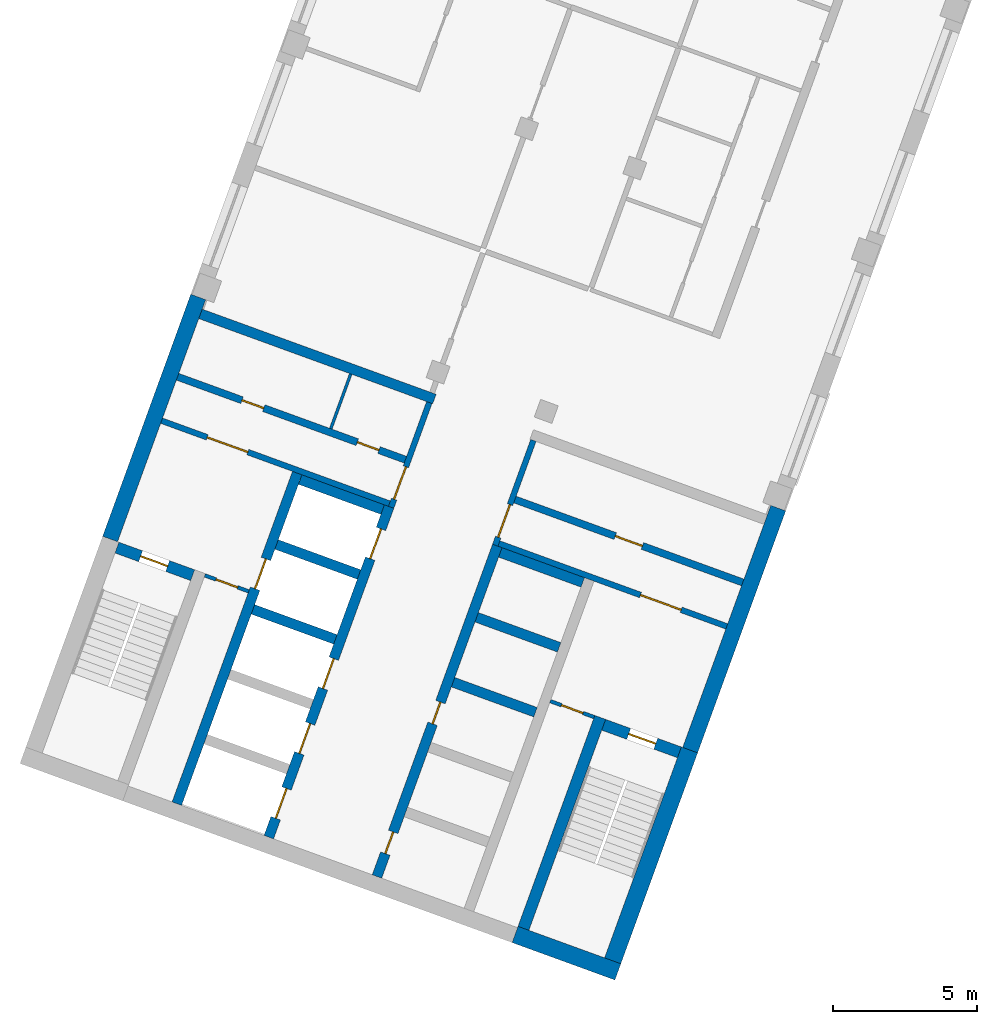
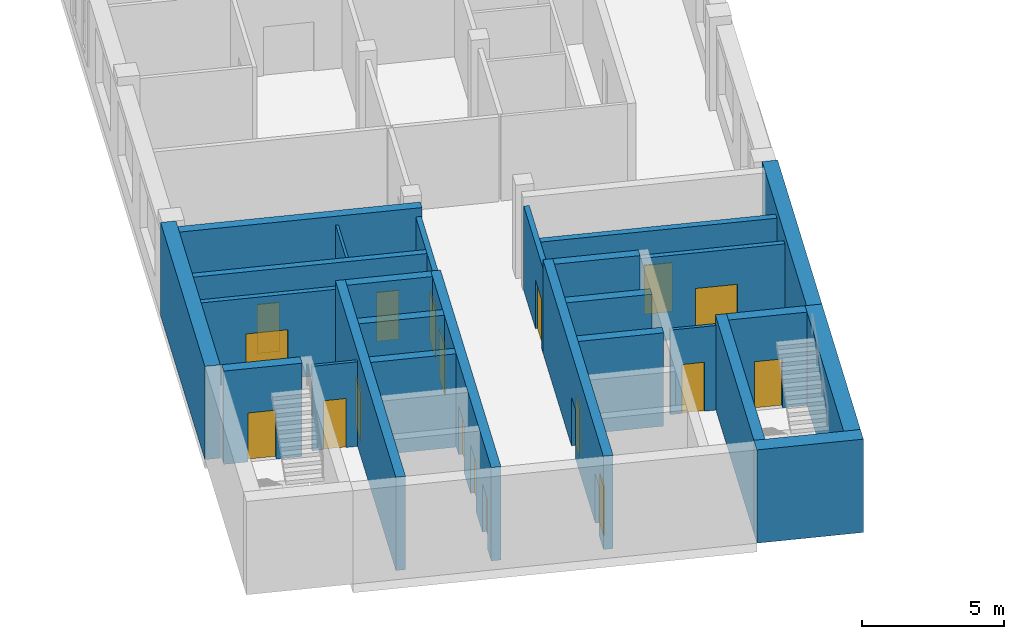
# One storey, part 2 of 8: 26 walls, 18 doors, 18 openings.
"""IFC4 building model written with IfcOpenShell, lengths in metres."""

from ifc_helpers import new_model, si_unit, direction, frame, frame_2d, origin, place, context, subcontext, project, spatial, rectangle, extrude, material, layer, layer_set, type_object, element, fill, save


model = new_model("IFC4")

# Units and contexts
model_context = context("Model", 3, precision=1e-05, world=origin(), true_north=direction((0.0, 1.0)))
body_context = subcontext(model_context, "Body", "Model", "MODEL_VIEW")
ifc_project = project(units=[si_unit("LENGTHUNIT", "METRE"), si_unit("AREAUNIT", "SQUARE_METRE"), si_unit("VOLUMEUNIT", "CUBIC_METRE"), si_unit("PLANEANGLEUNIT", "RADIAN"), si_unit("MASSUNIT", "GRAM", prefix="KILO")], contexts=[model_context])

# Site, building, storey
site_placement = place(None, origin())
site = spatial("IfcSite", under=ifc_project, at=site_placement, CompositionType="ELEMENT")
building_placement = place(site_placement, origin())
building = spatial("IfcBuilding", under=site, at=building_placement, Name="Skarvind Civic Tower", CompositionType="ELEMENT")
storey_placement = place(building_placement, frame((0.0, 0.0, 150.5)))
storey = spatial("IfcBuildingStorey", under=building, at=storey_placement, Name="L35", CompositionType="ELEMENT", Elevation=150.5)

# Wall, opening, door
ifc_material_1 = material(Name="Fire-rated masonry partition", Category="masonry")
ifc_layer_1 = layer(ifc_material_1, 0.199951171875)
ifc_layer_set_1 = layer_set([ifc_layer_1], Name="Core enclosure wall 200")
wall_type_1 = type_object("IfcWallType", Name="Core enclosure wall 200", PredefinedType="PARTITIONING", material=ifc_layer_set_1)
wall_1_placement = place(storey_placement, frame((31.45947265625, 93.67822265625, 0.0), z_axis=(0.0, 0.0, 1.0), x_axis=(0.341985870128, 0.939705094502, 0.0)))
wall_1 = element("IfcWall", 1, at=wall_1_placement, inside=storey, type_object=wall_type_1, Name="Core wall C2", PredefinedType="PARTITIONING", context=body_context, shape_type="SweptSolid", body=[
    extrude(rectangle(XDim=3.875, YDim=0.199951171875, at=frame_2d((1.9375, 0.0))), origin(), (0.0, 0.0, 1.0), 3.625),
])
opening_1_placement = place(wall_1_placement, frame((0.300048828125, 0.0, 0.0)))
opening_1 = element("IfcOpeningElement", 2, at=opening_1_placement, cuts=wall_1, Name="Opening D-L35-C2-07", PredefinedType="OPENING", context=body_context, shape_type="SweptSolid", body=[
    extrude(rectangle(XDim=1.199951171875, YDim=2.10009765625, at=frame_2d((0.60009765625, 1.050048828125))), frame((0.0, 0.10986328125, 0.0), z_axis=(0.0, -1.0, 0.0), x_axis=(1.0, 0.0, 0.0)), (0.0, 0.0, 1.0), 0.219970703125),
])
ifc_material_2 = material(Name="Fire-rated steel door", Category="steel")
door_type_1 = type_object("IfcDoorType", Name="Core lobby door 1200", OperationType="NOTDEFINED", PredefinedType="DOOR", material=ifc_material_2)
door_1_placement = place(opening_1_placement, origin())
door_1 = element("IfcDoor", 3, at=door_1_placement, inside=storey, type_object=door_type_1, Name="Fire door", OperationType="DOUBLE_DOOR_SINGLE_SWING", OverallHeight=2.10009765625, OverallWidth=1.199951171875, PredefinedType="DOOR", context=body_context, shape_type="SweptSolid", body=[
    extrude(rectangle(XDim=1.199951171875, YDim=2.10009765625, at=frame_2d((0.60009765625, 1.050048828125))), frame((0.0, 0.02490234375, 0.0), z_axis=(0.0, -1.0, 0.0), x_axis=(1.0, 0.0, 0.0)), (0.0, 0.0, 1.0), 0.050048828125),
])
fill(opening_1, door_1)

wall_2_placement = place(storey_placement, frame((23.482666015625, 96.68798828125, 0.0), z_axis=(0.0, 0.0, 1.0), x_axis=(0.939691007314, -0.342024576271, 0.0)))
wall_2 = element("IfcWall", 4, at=wall_2_placement, inside=storey, type_object=wall_type_1, Name="Core wall C2", PredefinedType="PARTITIONING", context=body_context, shape_type="SweptSolid", body=[
    extrude(rectangle(XDim=8.425048828125, YDim=0.199951171875, at=frame_2d((4.21240234375, 0.0))), origin(), (0.0, 0.0, 1.0), 3.625),
])
opening_2_placement = place(wall_2_placement, frame((1.6875, 0.0, 0.0)))
opening_2 = element("IfcOpeningElement", 5, at=opening_2_placement, cuts=wall_2, Name="Opening D-L35-C2-08", PredefinedType="OPENING", context=body_context, shape_type="SweptSolid", body=[
    extrude(rectangle(XDim=1.5, YDim=2.10009765625, at=frame_2d((0.75, 1.050048828125))), frame((0.0, 0.10986328125, 0.0), z_axis=(0.0, -1.0, 0.0), x_axis=(1.0, 0.0, 0.0)), (0.0, 0.0, 1.0), 0.219970703125),
])
door_type_2 = type_object("IfcDoorType", Name="Fire door 1500", OperationType="NOTDEFINED", PredefinedType="DOOR", material=ifc_material_2)
door_2_placement = place(opening_2_placement, origin())
door_2 = element("IfcDoor", 6, at=door_2_placement, inside=storey, type_object=door_type_2, Name="Fire door", OperationType="DOUBLE_DOOR_SINGLE_SWING", OverallHeight=2.10009765625, OverallWidth=1.5, PredefinedType="DOOR", context=body_context, shape_type="SweptSolid", body=[
    extrude(rectangle(XDim=1.5, YDim=2.10009765625, at=frame_2d((0.75, 1.050048828125))), frame((0.0, 0.02490234375, 0.0), z_axis=(0.0, -1.0, 0.0), x_axis=(1.0, 0.0, 0.0)), (0.0, 0.0, 1.0), 0.050048828125),
])
fill(opening_2, door_2)

wall_3_placement = place(storey_placement, frame((36.402587890625, 96.0029296875, 0.0), z_axis=(0.0, 0.0, 1.0), x_axis=(-0.342041503764, -0.939684845947, 0.0)))
wall_3 = element("IfcWall", 7, at=wall_3_placement, inside=storey, type_object=wall_type_1, Name="Core wall C2", PredefinedType="PARTITIONING", context=body_context, shape_type="SweptSolid", body=[
    extrude(rectangle(XDim=3.875, YDim=0.199951171875, at=frame_2d((1.9375, 0.0))), origin(), (0.0, 0.0, 1.0), 3.625),
])
opening_3_placement = place(wall_3_placement, frame((2.375, 0.0, 0.0)))
opening_3 = element("IfcOpeningElement", 8, at=opening_3_placement, cuts=wall_3, Name="Opening D-L35-C2-13", PredefinedType="OPENING", context=body_context, shape_type="SweptSolid", body=[
    extrude(rectangle(XDim=1.199951171875, YDim=2.10009765625, at=frame_2d((0.60009765625, 1.050048828125))), frame((0.0, 0.10986328125, 0.0), z_axis=(0.0, -1.0, 0.0), x_axis=(1.0, 0.0, 0.0)), (0.0, 0.0, 1.0), 0.219970703125),
])
door_3_placement = place(opening_3_placement, origin())
door_3 = element("IfcDoor", 9, at=door_3_placement, inside=storey, type_object=door_type_1, Name="Fire door", OperationType="DOUBLE_DOOR_SINGLE_SWING", OverallHeight=2.10009765625, OverallWidth=1.199951171875, PredefinedType="DOOR", context=body_context, shape_type="SweptSolid", body=[
    extrude(rectangle(XDim=1.199951171875, YDim=2.10009765625, at=frame_2d((0.60009765625, 1.050048828125))), frame((0.0, 0.02490234375, 0.0), z_axis=(0.0, -1.0, 0.0), x_axis=(1.0, 0.0, 0.0)), (0.0, 0.0, 1.0), 0.050048828125),
])
fill(opening_3, door_3)

wall_4_placement = place(storey_placement, frame((35.205322265625, 92.42138671875, 0.0), z_axis=(0.0, 0.0, 1.0), x_axis=(0.939691007314, -0.342024576271, 0.0)))
wall_4 = element("IfcWall", 10, at=wall_4_placement, inside=storey, type_object=wall_type_1, Name="Core wall C2", PredefinedType="PARTITIONING", context=body_context, shape_type="SweptSolid", body=[
    extrude(rectangle(XDim=8.425048828125, YDim=0.199951171875, at=frame_2d((4.21240234375, 0.0))), origin(), (0.0, 0.0, 1.0), 3.625),
])
opening_4_placement = place(wall_4_placement, frame((5.237548828125, 0.0, 0.0)))
opening_4 = element("IfcOpeningElement", 11, at=opening_4_placement, cuts=wall_4, Name="Opening D-L35-C2-14", PredefinedType="OPENING", context=body_context, shape_type="SweptSolid", body=[
    extrude(rectangle(XDim=1.5, YDim=2.10009765625, at=frame_2d((0.75, 1.050048828125))), frame((0.0, 0.10986328125, 0.0), z_axis=(0.0, -1.0, 0.0), x_axis=(1.0, 0.0, 0.0)), (0.0, 0.0, 1.0), 0.219970703125),
])
door_4_placement = place(opening_4_placement, origin())
door_4 = element("IfcDoor", 12, at=door_4_placement, inside=storey, type_object=door_type_2, Name="Fire door", OperationType="DOUBLE_DOOR_SINGLE_SWING", OverallHeight=2.10009765625, OverallWidth=1.5, PredefinedType="DOOR", context=body_context, shape_type="SweptSolid", body=[
    extrude(rectangle(XDim=1.5, YDim=2.10009765625, at=frame_2d((0.75, 1.050048828125))), frame((0.0, 0.02490234375, 0.0), z_axis=(0.0, -1.0, 0.0), x_axis=(1.0, 0.0, 0.0)), (0.0, 0.0, 1.0), 0.050048828125),
])
fill(opening_4, door_4)

# Wall
ifc_material_3 = material(Name="Fire-rated plasterboard partition")
ifc_layer_2 = layer(ifc_material_3, 0.10009765625)
ifc_layer_set_2 = layer_set([ifc_layer_2], Name="Core partition wall 100")
wall_type_2 = type_object("IfcWallType", Name="Core partition wall 100", PredefinedType="PARTITIONING", material=ifc_layer_set_2)
wall_5_placement = place(storey_placement, frame((29.3623046875, 96.410400390625, 0.0), z_axis=(0.0, 0.0, 1.0), x_axis=(0.342043138314, 0.939684250976, 0.0)))
element("IfcWall", 13, at=wall_5_placement, inside=storey, type_object=wall_type_2, Name="Core wall C2", PredefinedType="PARTITIONING", context=body_context, shape_type="SweptSolid", body=[
    extrude(rectangle(XDim=2.02490234375, YDim=0.10009765625, at=frame_2d((1.012451171875, 0.0))), origin(), (0.0, 0.0, 1.0), 3.625),
])

# Wall, openings, doors
ifc_material_4 = material(Name="Concrete C60", Category="concrete")
ifc_layer_3 = layer(ifc_material_4, 0.35009765625)
ifc_layer_set_3 = layer_set([ifc_layer_3], Name="Core wall 350 C60")
wall_type_3 = type_object("IfcWallType", Name="Core wall 350 C60", PredefinedType="SHEAR", material=ifc_layer_set_3)
wall_6_placement = place(storey_placement, frame((30.966552734375, 80.84814453125, 0.0), z_axis=(0.0, 0.0, 1.0), x_axis=(0.34201563943, 0.939694260058, 0.0)))
wall_6 = element("IfcWall", 14, at=wall_6_placement, inside=storey, type_object=wall_type_3, Name="Core wall C2 south lift row front L35", PredefinedType="SHEAR", context=body_context, shape_type="SweptSolid", body=[
    extrude(rectangle(XDim=12.22509765625, YDim=0.35009765625, at=frame_2d((6.112548828125, 0.0))), origin(), (0.0, 0.0, 1.0), 4.0),
])
opening_5_placement = place(wall_6_placement, frame((0.85009765625, 0.0, 0.0)))
opening_5 = element("IfcOpeningElement", 15, at=opening_5_placement, cuts=wall_6, Name="Opening D-L35-C2-05", PredefinedType="OPENING", context=body_context, shape_type="SweptSolid", body=[
    extrude(rectangle(XDim=0.800048828125, YDim=2.10009765625, at=frame_2d((0.39990234375, 1.050048828125))), frame((0.0, 0.18505859375, 0.0), z_axis=(0.0, -1.0, 0.0), x_axis=(1.0, 0.0, 0.0)), (0.0, 0.0, 1.0), 0.3701171875),
])
opening_6_placement = place(wall_6_placement, frame((5.64990234375, 0.0, 0.0)))
opening_6 = element("IfcOpeningElement", 16, at=opening_6_placement, cuts=wall_6, Name="Opening D-L35-C2-06", PredefinedType="OPENING", context=body_context, shape_type="SweptSolid", body=[
    extrude(rectangle(XDim=0.800048828125, YDim=2.10009765625, at=frame_2d((0.39990234375, 1.050048828125))), frame((0.0, 0.18505859375, 0.0), z_axis=(0.0, -1.0, 0.0), x_axis=(1.0, 0.0, 0.0)), (0.0, 0.0, 1.0), 0.3701171875),
])
door_type_3 = type_object("IfcDoorType", Name="Core riser door 800", OperationType="NOTDEFINED", PredefinedType="DOOR", material=ifc_material_2)
door_5_placement = place(opening_5_placement, origin())
door_5 = element("IfcDoor", 17, at=door_5_placement, inside=storey, type_object=door_type_3, Name="Riser door", OperationType="SINGLE_SWING_LEFT", OverallHeight=2.10009765625, OverallWidth=0.800048828125, PredefinedType="DOOR", context=body_context, shape_type="SweptSolid", body=[
    extrude(rectangle(XDim=0.800048828125, YDim=2.10009765625, at=frame_2d((0.39990234375, 1.050048828125))), frame((0.0, 0.02490234375, 0.0), z_axis=(0.0, -1.0, 0.0), x_axis=(1.0, 0.0, 0.0)), (0.0, 0.0, 1.0), 0.050048828125),
])
fill(opening_5, door_5)
door_6_placement = place(opening_6_placement, origin())
door_6 = element("IfcDoor", 18, at=door_6_placement, inside=storey, type_object=door_type_3, Name="Riser door", OperationType="SINGLE_SWING_RIGHT", OverallHeight=2.10009765625, OverallWidth=0.800048828125, PredefinedType="DOOR", context=body_context, shape_type="SweptSolid", body=[
    extrude(rectangle(XDim=0.800048828125, YDim=2.10009765625, at=frame_2d((0.39990234375, 1.050048828125))), frame((0.0, 0.02490234375, 0.0), z_axis=(0.0, -1.0, 0.0), x_axis=(1.0, 0.0, 0.0)), (0.0, 0.0, 1.0), 0.050048828125),
])
fill(opening_6, door_6)

# Walls
for number, where, z_axis, x_axis, name in (
    (19, (36.4765625, 86.557861328125, 0.0), (0.0, 0.0, 1.0), (-0.939683528043, 0.3420451244, 0.0), "Core wall C2 south lift row division 3 L35"),
    (20, (37.297607421875, 88.813232421875, 0.0), (0.0, 0.0, 1.0), (-0.939692892192, 0.342019397644, 0.0), "Core wall C2 south lift row division 4 L35"),
    (21, (38.118408203125, 91.068359375, 0.0), (0.0, 0.0, 1.0), (-0.939692892192, 0.342019397644, 0.0), "Core wall C2 south lift row division 5 L35"),
):
    element("IfcWall", number, at=place(storey_placement, frame(where, z_axis=z_axis, x_axis=x_axis)), inside=storey, type_object=wall_type_3, Name=name, PredefinedType="SHEAR", context=body_context, shape_type="SweptSolid", body=[
        extrude(rectangle(XDim=3.050048828125, YDim=0.35009765625, at=frame_2d((1.52490234375, 0.0))), origin(), (0.0, 0.0, 1.0), 4.0),
    ])

# Wall, openings, doors
wall_7_placement = place(storey_placement, frame((27.207763671875, 82.21630859375, 0.0), z_axis=(0.0, 0.0, 1.0), x_axis=(0.34201563943, 0.939694260058, 0.0)))
wall_7 = element("IfcWall", 22, at=wall_7_placement, inside=storey, type_object=wall_type_3, Name="Core wall C2 north lift row front L35", PredefinedType="SHEAR", context=body_context, shape_type="SweptSolid", body=[
    extrude(rectangle(XDim=12.22509765625, YDim=0.35009765625, at=frame_2d((6.112548828125, 0.0))), origin(), (0.0, 0.0, 1.0), 4.0),
])
opening_7_placement = place(wall_7_placement, frame((0.699951171875, 0.0, 0.0)))
opening_7 = element("IfcOpeningElement", 23, at=opening_7_placement, cuts=wall_7, Name="Opening LD37201", PredefinedType="OPENING", context=body_context, shape_type="SweptSolid", body=[
    extrude(rectangle(XDim=1.10009765625, YDim=2.10009765625, at=frame_2d((0.550048828125, 1.050048828125))), frame((0.0, 0.18505859375, 0.0), z_axis=(0.0, -1.0, 0.0), x_axis=(1.0, 0.0, 0.0)), (0.0, 0.0, 1.0), 0.3701171875),
])
opening_8_placement = place(wall_7_placement, frame((3.10009765625, 0.0, 0.0)))
opening_8 = element("IfcOpeningElement", 24, at=opening_8_placement, cuts=wall_7, Name="Opening LD37202", PredefinedType="OPENING", context=body_context, shape_type="SweptSolid", body=[
    extrude(rectangle(XDim=1.10009765625, YDim=2.10009765625, at=frame_2d((0.550048828125, 1.050048828125))), frame((0.0, 0.18505859375, 0.0), z_axis=(0.0, -1.0, 0.0), x_axis=(1.0, 0.0, 0.0)), (0.0, 0.0, 1.0), 0.3701171875),
])
opening_9_placement = place(wall_7_placement, frame((5.5, 0.0, 0.0)))
opening_9 = element("IfcOpeningElement", 25, at=opening_9_placement, cuts=wall_7, Name="Opening LD37203", PredefinedType="OPENING", context=body_context, shape_type="SweptSolid", body=[
    extrude(rectangle(XDim=1.10009765625, YDim=2.10009765625, at=frame_2d((0.550048828125, 1.050048828125))), frame((0.0, 0.18505859375, 0.0), z_axis=(0.0, -1.0, 0.0), x_axis=(1.0, 0.0, 0.0)), (0.0, 0.0, 1.0), 0.3701171875),
])
opening_10_placement = place(wall_7_placement, frame((10.300048828125, 0.0, 0.0)))
opening_10 = element("IfcOpeningElement", 26, at=opening_10_placement, cuts=wall_7, Name="Opening LD37205", PredefinedType="OPENING", context=body_context, shape_type="SweptSolid", body=[
    extrude(rectangle(XDim=1.10009765625, YDim=2.10009765625, at=frame_2d((0.550048828125, 1.050048828125))), frame((0.0, 0.18505859375, 0.0), z_axis=(0.0, -1.0, 0.0), x_axis=(1.0, 0.0, 0.0)), (0.0, 0.0, 1.0), 0.3701171875),
])
ifc_material_5 = material(Name="Stainless steel landing door", Category="steel")
door_type_4 = type_object("IfcDoorType", Name="Lift landing door 1100", OperationType="DOUBLE_DOOR_SLIDING", PredefinedType="DOOR", material=ifc_material_5)
door_7_placement = place(opening_7_placement, origin())
door_7 = element("IfcDoor", 27, at=door_7_placement, inside=storey, type_object=door_type_4, Name="Lift landing door", OperationType="DOUBLE_DOOR_SLIDING", OverallHeight=2.10009765625, OverallWidth=1.10009765625, PredefinedType="DOOR", context=body_context, shape_type="SweptSolid", body=[
    extrude(rectangle(XDim=1.10009765625, YDim=2.10009765625, at=frame_2d((0.550048828125, 1.050048828125))), frame((0.0, 0.02490234375, 0.0), z_axis=(0.0, -1.0, 0.0), x_axis=(1.0, 0.0, 0.0)), (0.0, 0.0, 1.0), 0.050048828125),
])
fill(opening_7, door_7)
door_8_placement = place(opening_8_placement, origin())
door_8 = element("IfcDoor", 28, at=door_8_placement, inside=storey, type_object=door_type_4, Name="Lift landing door", OperationType="DOUBLE_DOOR_SLIDING", OverallHeight=2.10009765625, OverallWidth=1.10009765625, PredefinedType="DOOR", context=body_context, shape_type="SweptSolid", body=[
    extrude(rectangle(XDim=1.10009765625, YDim=2.10009765625, at=frame_2d((0.550048828125, 1.050048828125))), frame((0.0, 0.02490234375, 0.0), z_axis=(0.0, -1.0, 0.0), x_axis=(1.0, 0.0, 0.0)), (0.0, 0.0, 1.0), 0.050048828125),
])
fill(opening_8, door_8)
door_9_placement = place(opening_9_placement, origin())
door_9 = element("IfcDoor", 29, at=door_9_placement, inside=storey, type_object=door_type_4, Name="Lift landing door", OperationType="DOUBLE_DOOR_SLIDING", OverallHeight=2.10009765625, OverallWidth=1.10009765625, PredefinedType="DOOR", context=body_context, shape_type="SweptSolid", body=[
    extrude(rectangle(XDim=1.10009765625, YDim=2.10009765625, at=frame_2d((0.550048828125, 1.050048828125))), frame((0.0, 0.02490234375, 0.0), z_axis=(0.0, -1.0, 0.0), x_axis=(1.0, 0.0, 0.0)), (0.0, 0.0, 1.0), 0.050048828125),
])
fill(opening_9, door_9)
door_10_placement = place(opening_10_placement, origin())
door_10 = element("IfcDoor", 30, at=door_10_placement, inside=storey, type_object=door_type_4, Name="Lift landing door", OperationType="DOUBLE_DOOR_SLIDING", OverallHeight=2.10009765625, OverallWidth=1.10009765625, PredefinedType="DOOR", context=body_context, shape_type="SweptSolid", body=[
    extrude(rectangle(XDim=1.10009765625, YDim=2.10009765625, at=frame_2d((0.550048828125, 1.050048828125))), frame((0.0, 0.02490234375, 0.0), z_axis=(0.0, -1.0, 0.0), x_axis=(1.0, 0.0, 0.0)), (0.0, 0.0, 1.0), 0.050048828125),
])
fill(opening_10, door_10)

# Wall, opening, door
wall_8_placement = place(storey_placement, frame((24.0126953125, 83.379150390625, 0.0), z_axis=(0.0, 0.0, 1.0), x_axis=(0.34201563943, 0.939694260058, 0.0)))
wall_8 = element("IfcWall", 31, at=wall_8_placement, inside=storey, type_object=wall_type_3, Name="Core wall C2 north lift row back L35", PredefinedType="SHEAR", context=body_context, shape_type="SweptSolid", body=[
    extrude(rectangle(XDim=12.22509765625, YDim=0.35009765625, at=frame_2d((6.112548828125, 0.0))), origin(), (0.0, 0.0, 1.0), 4.0),
])
opening_11_placement = place(wall_8_placement, frame((7.949951171875, 0.0, 0.0)))
opening_11 = element("IfcOpeningElement", 32, at=opening_11_placement, cuts=wall_8, Name="Opening LD37204", PredefinedType="OPENING", context=body_context, shape_type="SweptSolid", body=[
    extrude(rectangle(XDim=1.10009765625, YDim=2.10009765625, at=frame_2d((0.550048828125, 1.050048828125))), frame((0.0, 0.18505859375, 0.0), z_axis=(0.0, -1.0, 0.0), x_axis=(1.0, 0.0, 0.0)), (0.0, 0.0, 1.0), 0.3701171875),
])
door_11_placement = place(opening_11_placement, origin())
door_11 = element("IfcDoor", 33, at=door_11_placement, inside=storey, type_object=door_type_4, Name="Lift landing door", OperationType="DOUBLE_DOOR_SLIDING", OverallHeight=2.10009765625, OverallWidth=1.10009765625, PredefinedType="DOOR", context=body_context, shape_type="SweptSolid", body=[
    extrude(rectangle(XDim=1.10009765625, YDim=2.10009765625, at=frame_2d((0.550048828125, 1.050048828125))), frame((0.0, 0.02490234375, 0.0), z_axis=(0.0, -1.0, 0.0), x_axis=(1.0, 0.0, 0.0)), (0.0, 0.0, 1.0), 0.050048828125),
])
fill(opening_11, door_11)

# Walls
wall_9_placement = place(storey_placement, frame((29.52294921875, 89.0888671875, 0.0), z_axis=(0.0, 0.0, 1.0), x_axis=(-0.939692892192, 0.342019397644, 0.0)))
element("IfcWall", 34, at=wall_9_placement, inside=storey, type_object=wall_type_3, Name="Core wall C2 north lift row division 3 L35", PredefinedType="SHEAR", context=body_context, shape_type="SweptSolid", body=[
    extrude(rectangle(XDim=3.050048828125, YDim=0.35009765625, at=frame_2d((1.52490234375, 0.0))), origin(), (0.0, 0.0, 1.0), 4.0),
])
wall_10_placement = place(storey_placement, frame((30.34375, 91.34423828125, 0.0), z_axis=(0.0, 0.0, 1.0), x_axis=(-0.939709254651, 0.341974438698, 0.0)))
element("IfcWall", 35, at=wall_10_placement, inside=storey, type_object=wall_type_3, Name="Core wall C2 north lift row division 4 L35", PredefinedType="SHEAR", context=body_context, shape_type="SweptSolid", body=[
    extrude(rectangle(XDim=3.0498046875, YDim=0.35009765625, at=frame_2d((1.52490234375, 0.0))), origin(), (0.0, 0.0, 1.0), 4.0),
])
wall_11_placement = place(storey_placement, frame((31.16455078125, 93.599365234375, 0.0), z_axis=(0.0, 0.0, 1.0), x_axis=(-0.939683528043, 0.3420451244, 0.0)))
element("IfcWall", 36, at=wall_11_placement, inside=storey, type_object=wall_type_3, Name="Core wall C2 north lift row division 5 L35", PredefinedType="SHEAR", context=body_context, shape_type="SweptSolid", body=[
    extrude(rectangle(XDim=3.050048828125, YDim=0.35009765625, at=frame_2d((1.52490234375, 0.0))), origin(), (0.0, 0.0, 1.0), 4.0),
])
wall_12_placement = place(storey_placement, frame((32.9619140625, 97.44140625, 0.0), z_axis=(0.0, 0.0, 1.0), x_axis=(-0.939689545667, 0.342028592028, 0.0)))
element("IfcWall", 37, at=wall_12_placement, inside=storey, type_object=wall_type_3, Name="Core wall C2 north inner face L35", PredefinedType="SHEAR", context=body_context, shape_type="SweptSolid", body=[
    extrude(rectangle(XDim=8.64990234375, YDim=0.35009765625, at=frame_2d((4.324951171875, 0.0))), origin(), (0.0, 0.0, 1.0), 4.0),
])
ifc_layer_4 = layer(ifc_material_4, 0.39990234375)
ifc_layer_set_4 = layer_set([ifc_layer_4], Name="Core wall 400 C60")
wall_type_4 = type_object("IfcWallType", Name="Core wall 400 C60", PredefinedType="SHEAR", material=ifc_layer_set_4)
wall_13_placement = place(storey_placement, frame((36.057861328125, 79.04833984375, 0.0), z_axis=(0.0, 0.0, 1.0), x_axis=(0.342016982193, 0.939693771338, 0.0)))
element("IfcWall", 38, at=wall_13_placement, inside=storey, type_object=wall_type_4, Name="Core wall C2 south stair inner L35", PredefinedType="SHEAR", context=body_context, shape_type="SweptSolid", body=[
    extrude(rectangle(XDim=7.800048828125, YDim=0.39990234375, at=frame_2d((3.89990234375, 0.0))), origin(), (0.0, 0.0, 1.0), 4.0),
])

# Wall, opening, door
wall_14_placement = place(storey_placement, frame((41.476318359375, 85.163818359375, 0.0), z_axis=(0.0, 0.0, 1.0), x_axis=(-0.939678810556, 0.342058084236, 0.0)))
wall_14 = element("IfcWall", 39, at=wall_14_placement, inside=storey, type_object=wall_type_4, Name="Core wall C2 south stair end L35", PredefinedType="SHEAR", context=body_context, shape_type="SweptSolid", body=[
    extrude(rectangle(XDim=2.800048828125, YDim=0.39990234375, at=frame_2d((1.39990234375, 0.0))), origin(), (0.0, 0.0, 1.0), 4.0),
])
opening_12_placement = place(wall_14_placement, frame((0.875, 0.0, 0.0)))
opening_12 = element("IfcOpeningElement", 40, at=opening_12_placement, cuts=wall_14, Name="Opening D-L35-C2-15", PredefinedType="OPENING", context=body_context, shape_type="SweptSolid", body=[
    extrude(rectangle(XDim=1.0, YDim=2.10009765625, at=frame_2d((0.5, 1.050048828125))), frame((0.0, 0.2099609375, 0.0), z_axis=(0.0, -1.0, 0.0), x_axis=(1.0, 0.0, 0.0)), (0.0, 0.0, 1.0), 0.419921875),
])
door_type_5 = type_object("IfcDoorType", Name="Fire door 1000", OperationType="NOTDEFINED", PredefinedType="DOOR", material=ifc_material_2)
door_12_placement = place(opening_12_placement, origin())
door_12 = element("IfcDoor", 41, at=door_12_placement, inside=storey, type_object=door_type_5, Name="Fire door", OperationType="SINGLE_SWING_RIGHT", OverallHeight=2.10009765625, OverallWidth=1.0, PredefinedType="DOOR", context=body_context, shape_type="SweptSolid", body=[
    extrude(rectangle(XDim=1.0, YDim=2.10009765625, at=frame_2d((0.5, 1.050048828125))), frame((0.0, 0.02490234375, 0.0), z_axis=(0.0, -1.0, 0.0), x_axis=(1.0, 0.0, 0.0)), (0.0, 0.0, 1.0), 0.050048828125),
])
fill(opening_12, door_12)

wall_15_placement = place(storey_placement, frame((24.56201171875, 91.3203125, 0.0), z_axis=(0.0, 0.0, 1.0), x_axis=(-0.939717030584, 0.341953070509, 0.0)))
wall_15 = element("IfcWall", 42, at=wall_15_placement, inside=storey, type_object=wall_type_4, Name="Core wall C2 north stair end L35", PredefinedType="SHEAR", context=body_context, shape_type="SweptSolid", body=[
    extrude(rectangle(XDim=2.800048828125, YDim=0.39990234375, at=frame_2d((1.39990234375, 0.0))), origin(), (0.0, 0.0, 1.0), 4.0),
])
opening_13_placement = place(wall_15_placement, frame((0.925048828125, 0.0, 0.0)))
opening_13 = element("IfcOpeningElement", 43, at=opening_13_placement, cuts=wall_15, Name="Opening D-L35-C2-09", PredefinedType="OPENING", context=body_context, shape_type="SweptSolid", body=[
    extrude(rectangle(XDim=1.0, YDim=2.10009765625, at=frame_2d((0.5, 1.050048828125))), frame((0.0, 0.2099609375, 0.0), z_axis=(0.0, -1.0, 0.0), x_axis=(1.0, 0.0, 0.0)), (0.0, 0.0, 1.0), 0.419921875),
])
door_13_placement = place(opening_13_placement, origin())
door_13 = element("IfcDoor", 44, at=door_13_placement, inside=storey, type_object=door_type_5, Name="Fire door", OperationType="SINGLE_SWING_LEFT", OverallHeight=2.10009765625, OverallWidth=1.0, PredefinedType="DOOR", context=body_context, shape_type="SweptSolid", body=[
    extrude(rectangle(XDim=1.0, YDim=2.10009765625, at=frame_2d((0.5, 1.050048828125))), frame((0.0, 0.02490234375, 0.0), z_axis=(0.0, -1.0, 0.0), x_axis=(1.0, 0.0, 0.0)), (0.0, 0.0, 1.0), 0.050048828125),
])
fill(opening_13, door_13)

# Walls
ifc_layer_5 = layer(ifc_material_4, 0.550048828125)
ifc_layer_set_5 = layer_set([ifc_layer_5], Name="Core wall 550 C60")
wall_type_5 = type_object("IfcWallType", Name="Core wall 550 C60", PredefinedType="SHEAR", material=ifc_layer_set_5)
wall_16_placement = place(storey_placement, frame((41.85009765625, 85.24072265625, 0.0), z_axis=(0.0, 0.0, 1.0), x_axis=(0.34201902012, 0.939693029598, 0.0)))
element("IfcWall", 45, at=wall_16_placement, inside=storey, type_object=wall_type_5, Name="Core wall C2 south side L35", PredefinedType="SHEAR", context=body_context, shape_type="SweptSolid", body=[
    extrude(rectangle(XDim=8.949951171875, YDim=0.550048828125, at=frame_2d((4.47509765625, 0.0))), origin(), (0.0, 0.0, 1.0), 4.0),
])
wall_17_placement = place(storey_placement, frame((21.69384765625, 92.576904296875, 0.0), z_axis=(0.0, 0.0, 1.0), x_axis=(0.342010253184, 0.939696220444, 0.0)))
element("IfcWall", 46, at=wall_17_placement, inside=storey, type_object=wall_type_5, Name="Core wall C2 north side L35", PredefinedType="SHEAR", context=body_context, shape_type="SweptSolid", body=[
    extrude(rectangle(XDim=8.9501953125, YDim=0.550048828125, at=frame_2d((4.47509765625, 0.0))), origin(), (0.0, 0.0, 1.0), 4.0),
])
ifc_layer_6 = layer(ifc_material_4, 0.60009765625)
ifc_layer_set_6 = layer_set([ifc_layer_6], Name="Core wall 600 C60")
wall_type_6 = type_object("IfcWallType", Name="Core wall 600 C60", PredefinedType="SHEAR", material=ifc_layer_set_6)
wall_18_placement = place(storey_placement, frame((39.338134765625, 77.53515625, 0.0), z_axis=(0.0, 0.0, 1.0), x_axis=(-0.939701471648, 0.341995824804, 0.0)))
element("IfcWall", 47, at=wall_18_placement, inside=storey, type_object=wall_type_6, Name="Core wall C2 tip at the south stair L35", PredefinedType="SHEAR", context=body_context, shape_type="SweptSolid", body=[
    extrude(rectangle(XDim=3.800048828125, YDim=0.60009765625, at=frame_2d((1.89990234375, 0.0))), origin(), (0.0, 0.0, 1.0), 4.0),
])
wall_19_placement = place(storey_placement, frame((39.158935546875, 77.919677734375, 0.0), z_axis=(0.0, 0.0, 1.0), x_axis=(0.342016982193, 0.939693771338, 0.0)))
element("IfcWall", 48, at=wall_19_placement, inside=storey, type_object=wall_type_6, Name="Core wall C2 south side at the stair L35", PredefinedType="SHEAR", context=body_context, shape_type="SweptSolid", body=[
    extrude(rectangle(XDim=7.800048828125, YDim=0.60009765625, at=frame_2d((3.89990234375, 0.0))), origin(), (0.0, 0.0, 1.0), 4.0),
])

# Wall, opening, door
ifc_layer_7 = layer(ifc_material_1, 0.125)
ifc_layer_set_7 = layer_set([ifc_layer_7], Name="Riser wall 125")
wall_type_7 = type_object("IfcWallType", Name="Riser wall 125", PredefinedType="PARTITIONING", material=ifc_layer_set_7)
wall_20_placement = place(storey_placement, frame((24.98486328125, 91.3125, 0.0), z_axis=(0.0, 0.0, 1.0), x_axis=(0.939705651352, -0.341984340019, 0.0)))
wall_20 = element("IfcWall", 49, at=wall_20_placement, inside=storey, type_object=wall_type_7, Name="Core wall C2", PredefinedType="PARTITIONING", context=body_context, shape_type="SweptSolid", body=[
    extrude(rectangle(XDim=1.624755859375, YDim=0.125, at=frame_2d((0.8125, 0.0))), origin(), (0.0, 0.0, 1.0), 3.625),
])
opening_14_placement = place(wall_20_placement, frame((0.41259765625, 0.0, 0.0)))
opening_14 = element("IfcOpeningElement", 50, at=opening_14_placement, cuts=wall_20, Name="Opening D-L35-C2-10", PredefinedType="OPENING", context=body_context, shape_type="SweptSolid", body=[
    extrude(rectangle(XDim=0.800048828125, YDim=2.10009765625, at=frame_2d((0.39990234375, 1.050048828125))), frame((0.0, 0.072509765625, 0.0), z_axis=(0.0, -1.0, 0.0), x_axis=(1.0, 0.0, 0.0)), (0.0, 0.0, 1.0), 0.14501953125),
])
door_14_placement = place(opening_14_placement, origin())
door_14 = element("IfcDoor", 51, at=door_14_placement, inside=storey, type_object=door_type_3, Name="Riser door", OperationType="SINGLE_SWING_RIGHT", OverallHeight=2.10009765625, OverallWidth=0.800048828125, PredefinedType="DOOR", context=body_context, shape_type="SweptSolid", body=[
    extrude(rectangle(XDim=0.800048828125, YDim=2.10009765625, at=frame_2d((0.39990234375, 1.050048828125))), frame((0.0, 0.02490234375, 0.0), z_axis=(0.0, -1.0, 0.0), x_axis=(1.0, 0.0, 0.0)), (0.0, 0.0, 1.0), 0.050048828125),
])
fill(opening_14, door_14)

wall_21_placement = place(storey_placement, frame((36.989501953125, 86.943359375, 0.0), z_axis=(0.0, 0.0, 1.0), x_axis=(0.939657357267, -0.342117013511, 0.0)))
wall_21 = element("IfcWall", 52, at=wall_21_placement, inside=storey, type_object=wall_type_7, Name="Core wall C2", PredefinedType="PARTITIONING", context=body_context, shape_type="SweptSolid", body=[
    extrude(rectangle(XDim=1.625, YDim=0.125, at=frame_2d((0.8125, 0.0))), origin(), (0.0, 0.0, 1.0), 3.625),
])
opening_15_placement = place(wall_21_placement, frame((0.41259765625, 0.0, 0.0)))
opening_15 = element("IfcOpeningElement", 53, at=opening_15_placement, cuts=wall_21, Name="Opening D-L35-C2-16", PredefinedType="OPENING", context=body_context, shape_type="SweptSolid", body=[
    extrude(rectangle(XDim=0.800048828125, YDim=2.10009765625, at=frame_2d((0.39990234375, 1.050048828125))), frame((0.0, 0.072509765625, 0.0), z_axis=(0.0, -1.0, 0.0), x_axis=(1.0, 0.0, 0.0)), (0.0, 0.0, 1.0), 0.14501953125),
])
door_15_placement = place(opening_15_placement, origin())
door_15 = element("IfcDoor", 54, at=door_15_placement, inside=storey, type_object=door_type_3, Name="Riser door", OperationType="SINGLE_SWING_LEFT", OverallHeight=2.10009765625, OverallWidth=0.800048828125, PredefinedType="DOOR", context=body_context, shape_type="SweptSolid", body=[
    extrude(rectangle(XDim=0.800048828125, YDim=2.10009765625, at=frame_2d((0.39990234375, 1.050048828125))), frame((0.0, 0.02490234375, 0.0), z_axis=(0.0, -1.0, 0.0), x_axis=(1.0, 0.0, 0.0)), (0.0, 0.0, 1.0), 0.050048828125),
])
fill(opening_15, door_15)

# Wall, openings, doors
ifc_layer_8 = layer(ifc_material_1, 0.25)
ifc_layer_set_8 = layer_set([ifc_layer_8], Name="Service block wall 250")
wall_type_8 = type_object("IfcWallType", Name="Service block wall 250", PredefinedType="PARTITIONING", material=ifc_layer_set_8)
wall_22_placement = place(storey_placement, frame((24.03857421875, 98.215087890625, 0.0), z_axis=(0.0, 0.0, 1.0), x_axis=(0.939687617333, -0.342033889887, 0.0)))
wall_22 = element("IfcWall", 55, at=wall_22_placement, inside=storey, type_object=wall_type_8, Name="Core wall C2", PredefinedType="PARTITIONING", context=body_context, shape_type="SweptSolid", body=[
    extrude(rectangle(XDim=8.4248046875, YDim=0.25, at=frame_2d((4.21240234375, 0.0))), origin(), (0.0, 0.0, 1.0), 3.625),
])
opening_16_placement = place(wall_22_placement, frame((6.6474609375, 0.0, 0.0)))
opening_16 = element("IfcOpeningElement", 56, at=opening_16_placement, cuts=wall_22, Name="Opening D-L35-C2-11", PredefinedType="OPENING", context=body_context, shape_type="SweptSolid", body=[
    extrude(rectangle(XDim=0.800048828125, YDim=2.10009765625, at=frame_2d((0.39990234375, 1.050048828125))), frame((0.0, 0.135009765625, 0.0), z_axis=(0.0, -1.0, 0.0), x_axis=(1.0, 0.0, 0.0)), (0.0, 0.0, 1.0), 0.27001953125),
])
opening_17_placement = place(wall_22_placement, frame((2.385009765625, 0.0, 0.0)))
opening_17 = element("IfcOpeningElement", 57, at=opening_17_placement, cuts=wall_22, Name="Opening D-L35-C2-12", PredefinedType="OPENING", context=body_context, shape_type="SweptSolid", body=[
    extrude(rectangle(XDim=0.800048828125, YDim=2.10009765625, at=frame_2d((0.39990234375, 1.050048828125))), frame((0.0, 0.135009765625, 0.0), z_axis=(0.0, -1.0, 0.0), x_axis=(1.0, 0.0, 0.0)), (0.0, 0.0, 1.0), 0.27001953125),
])
door_16_placement = place(opening_16_placement, origin())
door_16 = element("IfcDoor", 58, at=door_16_placement, inside=storey, type_object=door_type_3, Name="Riser door", OperationType="SINGLE_SWING_LEFT", OverallHeight=2.10009765625, OverallWidth=0.800048828125, PredefinedType="DOOR", context=body_context, shape_type="SweptSolid", body=[
    extrude(rectangle(XDim=0.800048828125, YDim=2.10009765625, at=frame_2d((0.39990234375, 1.050048828125))), frame((0.0, 0.02490234375, 0.0), z_axis=(0.0, -1.0, 0.0), x_axis=(1.0, 0.0, 0.0)), (0.0, 0.0, 1.0), 0.050048828125),
])
fill(opening_16, door_16)
door_17_placement = place(opening_17_placement, origin())
door_17 = element("IfcDoor", 59, at=door_17_placement, inside=storey, type_object=door_type_3, Name="Riser door", OperationType="SINGLE_SWING_RIGHT", OverallHeight=2.10009765625, OverallWidth=0.800048828125, PredefinedType="DOOR", context=body_context, shape_type="SweptSolid", body=[
    extrude(rectangle(XDim=0.800048828125, YDim=2.10009765625, at=frame_2d((0.39990234375, 1.050048828125))), frame((0.0, 0.02490234375, 0.0), z_axis=(0.0, -1.0, 0.0), x_axis=(1.0, 0.0, 0.0)), (0.0, 0.0, 1.0), 0.050048828125),
])
fill(opening_17, door_17)

# Wall, opening, door
wall_23_placement = place(storey_placement, frame((35.76123046875, 93.9482421875, 0.0), z_axis=(0.0, 0.0, 1.0), x_axis=(0.93969693093, -0.342008301071, 0.0)))
wall_23 = element("IfcWall", 60, at=wall_23_placement, inside=storey, type_object=wall_type_8, Name="Core wall C2", PredefinedType="PARTITIONING", context=body_context, shape_type="SweptSolid", body=[
    extrude(rectangle(XDim=8.4248046875, YDim=0.25, at=frame_2d((4.21240234375, 0.0))), origin(), (0.0, 0.0, 1.0), 3.625),
])
opening_18_placement = place(wall_23_placement, frame((3.71240234375, 0.0, 0.0)))
opening_18 = element("IfcOpeningElement", 61, at=opening_18_placement, cuts=wall_23, Name="Opening D-L35-C2-17", PredefinedType="OPENING", context=body_context, shape_type="SweptSolid", body=[
    extrude(rectangle(XDim=1.0, YDim=2.10009765625, at=frame_2d((0.5, 1.050048828125))), frame((0.0, 0.135009765625, 0.0), z_axis=(0.0, -1.0, 0.0), x_axis=(1.0, 0.0, 0.0)), (0.0, 0.0, 1.0), 0.27001953125),
])
door_18_placement = place(opening_18_placement, origin())
door_18 = element("IfcDoor", 62, at=door_18_placement, inside=storey, type_object=door_type_5, Name="Fire door", OperationType="SINGLE_SWING_RIGHT", OverallHeight=2.10009765625, OverallWidth=1.0, PredefinedType="DOOR", context=body_context, shape_type="SweptSolid", body=[
    extrude(rectangle(XDim=1.0, YDim=2.10009765625, at=frame_2d((0.5, 1.050048828125))), frame((0.0, 0.02490234375, 0.0), z_axis=(0.0, -1.0, 0.0), x_axis=(1.0, 0.0, 0.0)), (0.0, 0.0, 1.0), 0.050048828125),
])
fill(opening_18, door_18)

save(model, "model.ifc")
